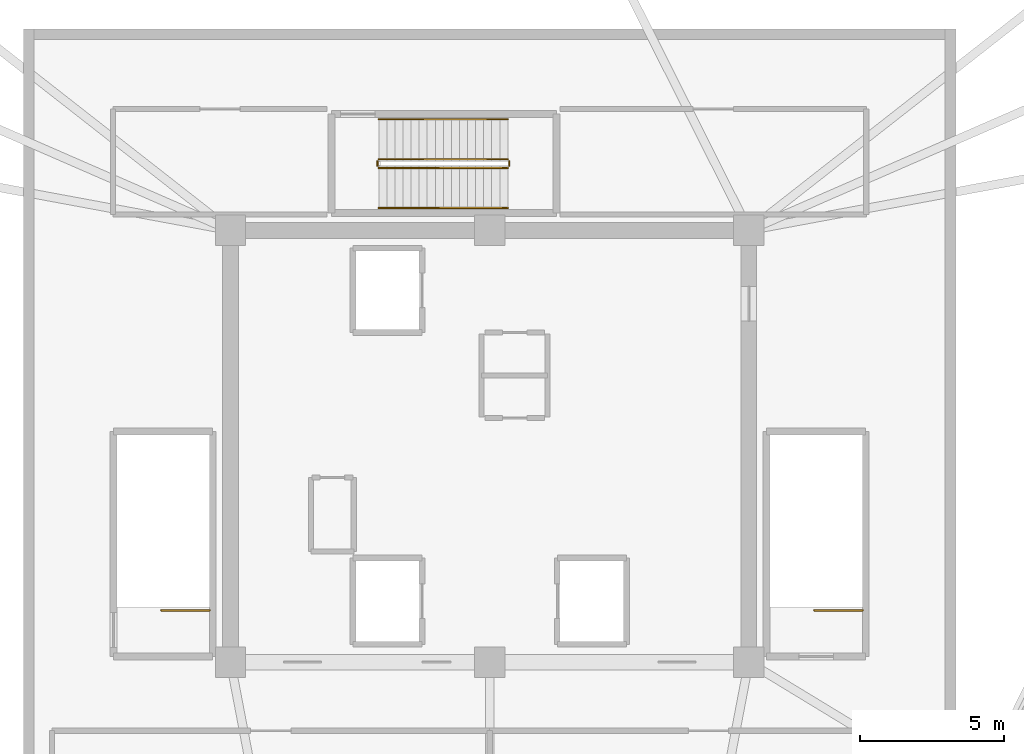
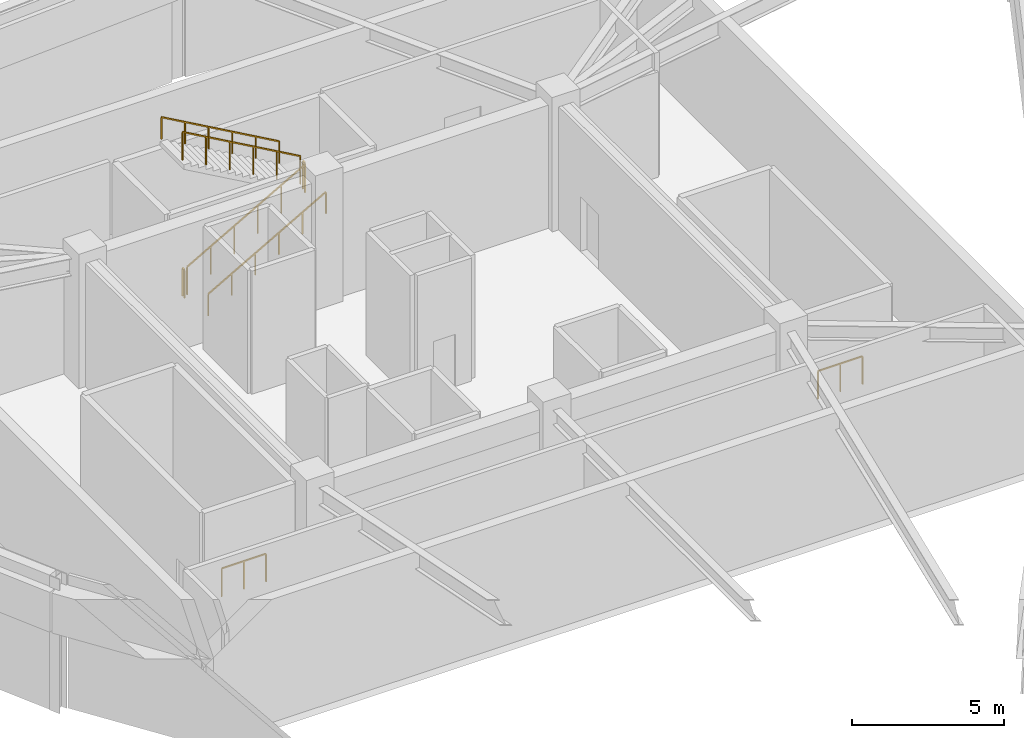
# One storey, part 6 of 6: 8 railings.
"""IFC4 building model written with IfcOpenShell, lengths in metres."""

from ifc_helpers import new_model, si_unit, direction, frame, origin, origin_2d, place, context, subcontext, project, spatial, rectangle, extrude, material, type_object, element, save


model = new_model("IFC4")

# Units and contexts
model_context = context("Model", 3, precision=1e-05, world=origin(), true_north=direction((0.0, 1.0)))
body_context = subcontext(model_context, "Body", "Model", "MODEL_VIEW")
ifc_project = project(units=[si_unit("LENGTHUNIT", "METRE"), si_unit("AREAUNIT", "SQUARE_METRE"), si_unit("VOLUMEUNIT", "CUBIC_METRE"), si_unit("PLANEANGLEUNIT", "RADIAN"), si_unit("MASSUNIT", "GRAM", prefix="KILO")], contexts=[model_context])

# Site, building, storey
site_placement = place(None, origin())
site = spatial("IfcSite", under=ifc_project, at=site_placement, CompositionType="ELEMENT")
building_placement = place(site_placement, origin())
building = spatial("IfcBuilding", under=site, at=building_placement, Name="Liaohun Quay Tower", CompositionType="ELEMENT")
storey_placement = place(building_placement, frame((0.0, 0.0, 366.0)))
storey = spatial("IfcBuildingStorey", under=building, at=storey_placement, Name="L94", CompositionType="ELEMENT", Elevation=366.0)

# Railings
ifc_material_1 = material(Name="Painted tubular steel", Category="steel")
railing_type_1 = type_object("IfcRailingType", Name="RLG-GUARD-STR", PredefinedType="GUARDRAIL", material=ifc_material_1)
for number, where, name in (
    (1, (50.280029296875, 48.300048828125, 0.0), "L94 ST-1 top well guard 1"),
    (2, (72.9599609375, 48.300048828125, 0.0), "L94 ST-2 top well guard 1"),
):
    element("IfcRailing", number, at=place(storey_placement, frame(where)), inside=storey, type_object=railing_type_1, Name=name, PredefinedType="GUARDRAIL", context=body_context, shape_type="SweptSolid", body=[
        extrude(rectangle(XDim=0.048095703125, YDim=0.048095703125, at=origin_2d()), frame((0.0, 0.0, 1.1259765625), z_axis=(-1.0, 0.0, 0.0), x_axis=(0.0, -1.0, 0.0)), (0.0, 0.0, 1.0), 1.68994140625),
        extrude(rectangle(XDim=0.0419921875, YDim=0.0419921875, at=origin_2d()), origin(), (0.0, 0.0, 1.0), 1.101806640625),
        extrude(rectangle(XDim=0.0419921875, YDim=0.0419921875, at=origin_2d()), frame((-0.844970703125, 0.0, 0.0)), (0.0, 0.0, 1.0), 1.101806640625),
        extrude(rectangle(XDim=0.0419921875, YDim=0.0419921875, at=origin_2d()), frame((-1.68994140625, 0.0, 0.0)), (0.0, 0.0, 1.0), 1.101806640625),
    ])
railing_1_placement = place(storey_placement, frame((56.14990234375, 63.669921875, 0.158935546875)))
element("IfcRailing", 3, at=railing_1_placement, inside=storey, type_object=railing_type_1, Name="L94 ST-3 stair guard 1", PredefinedType="GUARDRAIL", context=body_context, shape_type="SweptSolid", body=[
    extrude(rectangle(XDim=0.048095703125, YDim=0.048095703125, at=origin_2d()), frame((0.0, 0.0, 1.1259765625), z_axis=(0.869825572089, 0.0, 0.493359376256), x_axis=(0.0, 1.0, 0.0)), (0.0, 0.0, 1.0), 5.150390625),
    extrude(rectangle(XDim=0.0419921875, YDim=0.0419921875, at=origin_2d()), origin(), (0.0, 0.0, 1.0), 1.101806640625),
    extrude(rectangle(XDim=0.0419921875, YDim=0.0419921875, at=origin_2d()), frame((0.89599609375, 0.0, 0.50830078125)), (0.0, 0.0, 1.0), 1.101806640625),
    extrude(rectangle(XDim=0.0419921875, YDim=0.0419921875, at=origin_2d()), frame((1.7919921875, 0.0, 1.016357421875)), (0.0, 0.0, 1.0), 1.101806640625),
    extrude(rectangle(XDim=0.0419921875, YDim=0.0419921875, at=origin_2d()), frame((2.68798828125, 0.0, 1.524658203125)), (0.0, 0.0, 1.0), 1.101806640625),
    extrude(rectangle(XDim=0.0419921875, YDim=0.0419921875, at=origin_2d()), frame((3.583984375, 0.0, 2.03271484375)), (0.0, 0.0, 1.0), 1.101806640625),
    extrude(rectangle(XDim=0.0419921875, YDim=0.0419921875, at=origin_2d()), frame((4.47998046875, 0.0, 2.541015625)), (0.0, 0.0, 1.0), 1.101806640625),
])
railing_2_placement = place(storey_placement, frame((60.679931640625, 63.75, 2.699951171875)))
element("IfcRailing", 4, at=railing_2_placement, inside=storey, type_object=railing_type_1, Name="L94 ST-3 stair guard 2", PredefinedType="GUARDRAIL", context=body_context, shape_type="SweptSolid", body=[
    extrude(rectangle(XDim=0.048095703125, YDim=0.048095703125, at=origin_2d()), frame((0.0, 0.0, 1.1259765625), z_axis=(0.0, 1.0, 0.0), x_axis=(-1.0, 0.0, 0.0)), (0.0, 0.0, 1.0), 0.139892578125),
    extrude(rectangle(XDim=0.0419921875, YDim=0.0419921875, at=origin_2d()), origin(), (0.0, 0.0, 1.0), 1.101806640625),
    extrude(rectangle(XDim=0.0419921875, YDim=0.0419921875, at=origin_2d()), frame((0.0, 0.139892578125, 0.0)), (0.0, 0.0, 1.0), 1.101806640625),
])
railing_3_placement = place(storey_placement, frame((60.6298828125, 63.969970703125, 2.85888671875)))
element("IfcRailing", 5, at=railing_3_placement, inside=storey, type_object=railing_type_1, Name="L94 ST-3 stair guard 3", PredefinedType="GUARDRAIL", context=body_context, shape_type="SweptSolid", body=[
    extrude(rectangle(XDim=0.048095703125, YDim=0.048095703125, at=origin_2d()), frame((0.0, 0.0, 1.1259765625), z_axis=(-0.869825572089, 0.0, 0.493359376256), x_axis=(0.0, -1.0, 0.0)), (0.0, 0.0, 1.0), 5.150390625),
    extrude(rectangle(XDim=0.0419921875, YDim=0.0419921875, at=origin_2d()), origin(), (0.0, 0.0, 1.0), 1.101806640625),
    extrude(rectangle(XDim=0.0419921875, YDim=0.0419921875, at=origin_2d()), frame((-0.89599609375, 0.0, 0.50830078125)), (0.0, 0.0, 1.0), 1.101806640625),
    extrude(rectangle(XDim=0.0419921875, YDim=0.0419921875, at=origin_2d()), frame((-1.7919921875, 0.0, 1.016357421875)), (0.0, 0.0, 1.0), 1.101806640625),
    extrude(rectangle(XDim=0.0419921875, YDim=0.0419921875, at=origin_2d()), frame((-2.68798828125, 0.0, 1.524658203125)), (0.0, 0.0, 1.0), 1.101806640625),
    extrude(rectangle(XDim=0.0419921875, YDim=0.0419921875, at=origin_2d()), frame((-3.583984375, 0.0, 2.03271484375)), (0.0, 0.0, 1.0), 1.101806640625),
    extrude(rectangle(XDim=0.0419921875, YDim=0.0419921875, at=origin_2d()), frame((-4.47998046875, 0.0, 2.541015625)), (0.0, 0.0, 1.0), 1.101806640625),
])
railing_4_placement = place(storey_placement, frame((56.10009765625, 63.75, 0.0)))
element("IfcRailing", 6, at=railing_4_placement, inside=storey, type_object=railing_type_1, Name="L94 ST-3 stair guard 4", PredefinedType="GUARDRAIL", context=body_context, shape_type="SweptSolid", body=[
    extrude(rectangle(XDim=0.048095703125, YDim=0.048095703125, at=origin_2d()), frame((0.0, 0.0, 1.1259765625), z_axis=(0.0, 1.0, 0.0), x_axis=(-1.0, 0.0, 0.0)), (0.0, 0.0, 1.0), 0.139892578125),
    extrude(rectangle(XDim=0.0419921875, YDim=0.0419921875, at=origin_2d()), origin(), (0.0, 0.0, 1.0), 1.101806640625),
    extrude(rectangle(XDim=0.0419921875, YDim=0.0419921875, at=origin_2d()), frame((0.0, 0.139892578125, 0.0)), (0.0, 0.0, 1.0), 1.101806640625),
])
ifc_material_2 = material(Name="Brushed stainless steel", Category="steel")
railing_type_2 = type_object("IfcRailingType", Name="RLG-HND-STR", PredefinedType="HANDRAIL", material=ifc_material_2)
railing_5_placement = place(storey_placement, frame((56.14990234375, 62.280029296875, 0.158935546875)))
element("IfcRailing", 7, at=railing_5_placement, inside=storey, type_object=railing_type_2, Name="L94 ST-3 stair handrail 1", PredefinedType="HANDRAIL", context=body_context, shape_type="SweptSolid", body=[
    extrude(rectangle(XDim=0.048095703125, YDim=0.048095703125, at=origin_2d()), frame((0.0, 0.0, 0.8759765625), z_axis=(0.869825572089, 0.0, 0.493359376256), x_axis=(0.0, 1.0, 0.0)), (0.0, 0.0, 1.0), 5.150390625),
    extrude(rectangle(XDim=0.0419921875, YDim=0.0419921875, at=origin_2d()), origin(), (0.0, 0.0, 1.0), 0.851806640625),
    extrude(rectangle(XDim=0.0419921875, YDim=0.0419921875, at=origin_2d()), frame((0.89599609375, 0.0, 0.50830078125)), (0.0, 0.0, 1.0), 0.851806640625),
    extrude(rectangle(XDim=0.0419921875, YDim=0.0419921875, at=origin_2d()), frame((1.7919921875, 0.0, 1.016357421875)), (0.0, 0.0, 1.0), 0.851806640625),
    extrude(rectangle(XDim=0.0419921875, YDim=0.0419921875, at=origin_2d()), frame((2.68798828125, 0.0, 1.524658203125)), (0.0, 0.0, 1.0), 0.851806640625),
    extrude(rectangle(XDim=0.0419921875, YDim=0.0419921875, at=origin_2d()), frame((3.583984375, 0.0, 2.03271484375)), (0.0, 0.0, 1.0), 0.851806640625),
    extrude(rectangle(XDim=0.0419921875, YDim=0.0419921875, at=origin_2d()), frame((4.47998046875, 0.0, 2.541015625)), (0.0, 0.0, 1.0), 0.851806640625),
])
railing_6_placement = place(storey_placement, frame((60.6298828125, 65.360107421875, 2.85888671875)))
element("IfcRailing", 8, at=railing_6_placement, inside=storey, type_object=railing_type_2, Name="L94 ST-3 stair handrail 2", PredefinedType="HANDRAIL", context=body_context, shape_type="SweptSolid", body=[
    extrude(rectangle(XDim=0.048095703125, YDim=0.048095703125, at=origin_2d()), frame((0.0, 0.0, 0.8759765625), z_axis=(-0.869825572089, 0.0, 0.493359376256), x_axis=(0.0, -1.0, 0.0)), (0.0, 0.0, 1.0), 5.150390625),
    extrude(rectangle(XDim=0.0419921875, YDim=0.0419921875, at=origin_2d()), origin(), (0.0, 0.0, 1.0), 0.851806640625),
    extrude(rectangle(XDim=0.0419921875, YDim=0.0419921875, at=origin_2d()), frame((-0.89599609375, 0.0, 0.50830078125)), (0.0, 0.0, 1.0), 0.851806640625),
    extrude(rectangle(XDim=0.0419921875, YDim=0.0419921875, at=origin_2d()), frame((-1.7919921875, 0.0, 1.016357421875)), (0.0, 0.0, 1.0), 0.851806640625),
    extrude(rectangle(XDim=0.0419921875, YDim=0.0419921875, at=origin_2d()), frame((-2.68798828125, 0.0, 1.524658203125)), (0.0, 0.0, 1.0), 0.851806640625),
    extrude(rectangle(XDim=0.0419921875, YDim=0.0419921875, at=origin_2d()), frame((-3.583984375, 0.0, 2.03271484375)), (0.0, 0.0, 1.0), 0.851806640625),
    extrude(rectangle(XDim=0.0419921875, YDim=0.0419921875, at=origin_2d()), frame((-4.47998046875, 0.0, 2.541015625)), (0.0, 0.0, 1.0), 0.851806640625),
])

save(model, "model.ifc")
